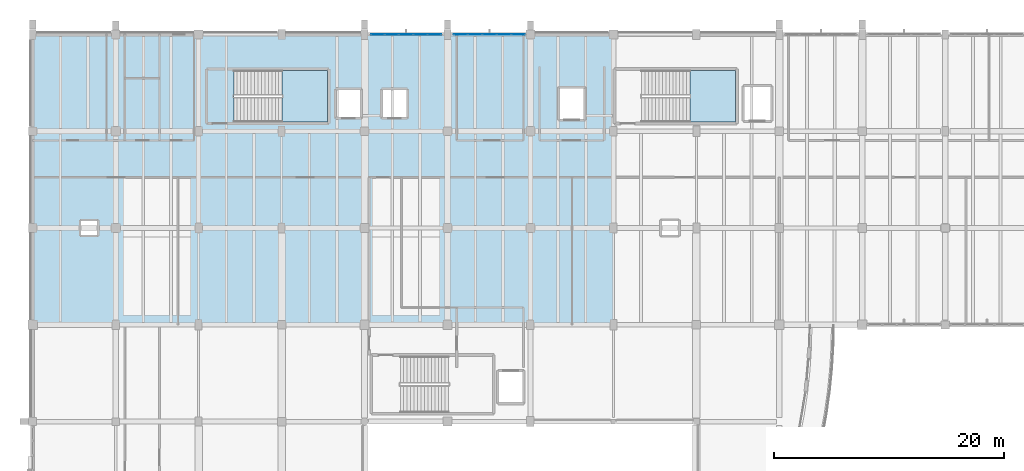
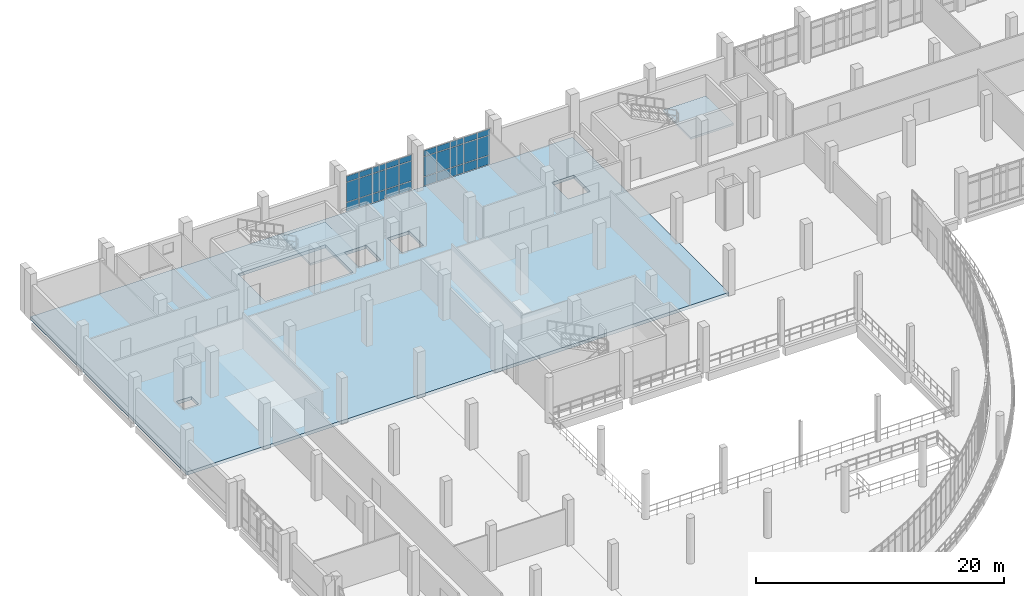
# One storey, part 95 of 116: 30 plates, 3 slabs, 4 elements without a shape of their own.
"""IFC4 building model written with IfcOpenShell, lengths in metres."""

from ifc_helpers import new_model, si_unit, direction, frame, origin, origin_2d, place, context, subcontext, project, spatial, polyline, rectangle, outline, extrude, material, layer, layer_set, type_object, element, aggregate, save


model = new_model("IFC4")

# Units and contexts
model_context = context("Model", 3, precision=1e-05, world=origin(), true_north=direction((0.0, 1.0)))
body_context = subcontext(model_context, "Body", "Model", "MODEL_VIEW")
ifc_project = project(units=[si_unit("LENGTHUNIT", "METRE"), si_unit("AREAUNIT", "SQUARE_METRE"), si_unit("VOLUMEUNIT", "CUBIC_METRE"), si_unit("PLANEANGLEUNIT", "RADIAN"), si_unit("MASSUNIT", "GRAM", prefix="KILO")], contexts=[model_context])

# Site, building, storey
site_placement = place(None, origin())
site = spatial("IfcSite", under=ifc_project, at=site_placement, CompositionType="ELEMENT")
building_placement = place(site_placement, origin())
building = spatial("IfcBuilding", under=site, at=building_placement, Name="Kalluvel Institute of Natural Sciences", CompositionType="ELEMENT")
storey_placement = place(building_placement, frame((0.0, 0.0, 14.39990234375)))
storey = spatial("IfcBuildingStorey", under=building, at=storey_placement, Name="L03", CompositionType="ELEMENT", Elevation=14.39990234375)

# Curtain wall, plates
ifc_material_1 = material(Name="Aluminium AW-6063 T6", Category="aluminium")
curtain_wall_type = type_object("IfcCurtainWallType", Name="CW-WET-45", PredefinedType="USERDEFINED", material=ifc_material_1)
curtain_wall_1_placement = place(storey_placement, origin())
curtain_wall_1 = element("IfcCurtainWall", 1, at=curtain_wall_1_placement, inside=storey, type_object=curtain_wall_type, Name="L03 Gothic lancet curtain wall CWA-L03-X433-Y1280", ObjectType="UNITISED LANCET FACADE", PredefinedType="USERDEFINED")
ifc_material_2 = material(Name="Solar-Control Low-E Laminated Glass", Category="glass")
ifc_layer_1 = layer(ifc_material_2, 0.028076171875)
ifc_layer_set_1 = layer_set([ifc_layer_1], Name="Solar-Control Low-E Laminated Glass")
plate_type = type_object("IfcPlateType", Name="CWP-DGU-28", PredefinedType="CURTAIN_PANEL", material=ifc_layer_set_1)
plate_1_placement = place(storey_placement, frame((43.93505859375, 128.0, 0.06005859375), z_axis=(0.0, 0.0, 1.0), x_axis=(1.0, 0.0, 0.0)))
plate_1 = element("IfcPlate", 2, at=plate_1_placement, type_object=plate_type, Name="CW-01 panel 1.1", PredefinedType="CURTAIN_PANEL", context=body_context, shape_type="SweptSolid", body=[
    extrude(rectangle(XDim=1.14990234375, YDim=0.028076171875, at=origin_2d()), origin(), (0.0, 0.0, 1.0), 0.860107421875),
])
plate_2_placement = place(storey_placement, frame((43.93505859375, 128.0, 0.980224609375), z_axis=(0.0, 0.0, 1.0), x_axis=(1.0, 0.0, 0.0)))
plate_2 = element("IfcPlate", 3, at=plate_2_placement, type_object=plate_type, Name="CW-01 panel 1.2", PredefinedType="CURTAIN_PANEL", context=body_context, shape_type="SweptSolid", body=[
    extrude(rectangle(XDim=1.14990234375, YDim=0.028076171875, at=origin_2d()), origin(), (0.0, 0.0, 1.0), 1.919921875),
])
plate_3_placement = place(storey_placement, frame((43.93505859375, 128.0, 2.9599609375), z_axis=(0.0, 0.0, 1.0), x_axis=(1.0, 0.0, 0.0)))
plate_3 = element("IfcPlate", 4, at=plate_3_placement, type_object=plate_type, Name="CW-01 panel 1.3", PredefinedType="CURTAIN_PANEL", context=body_context, shape_type="SweptSolid", body=[
    extrude(rectangle(XDim=1.14990234375, YDim=0.028076171875, at=origin_2d()), origin(), (0.0, 0.0, 1.0), 0.56005859375),
])
plate_4_placement = place(storey_placement, frame((45.159912109375, 128.0, 0.06005859375), z_axis=(0.0, 0.0, 1.0), x_axis=(1.0, 0.0, 0.0)))
plate_4 = element("IfcPlate", 5, at=plate_4_placement, type_object=plate_type, Name="CW-01 panel 2.1", PredefinedType="CURTAIN_PANEL", context=body_context, shape_type="SweptSolid", body=[
    extrude(rectangle(XDim=1.179931640625, YDim=0.028076171875, at=origin_2d()), origin(), (0.0, 0.0, 1.0), 0.860107421875),
])
plate_5_placement = place(storey_placement, frame((45.159912109375, 128.0, 0.980224609375), z_axis=(0.0, 0.0, 1.0), x_axis=(1.0, 0.0, 0.0)))
plate_5 = element("IfcPlate", 6, at=plate_5_placement, type_object=plate_type, Name="CW-01 panel 2.2", PredefinedType="CURTAIN_PANEL", context=body_context, shape_type="SweptSolid", body=[
    extrude(rectangle(XDim=1.179931640625, YDim=0.028076171875, at=origin_2d()), origin(), (0.0, 0.0, 1.0), 1.919921875),
])
plate_6_placement = place(storey_placement, frame((45.159912109375, 128.0, 2.9599609375), z_axis=(0.0, 0.0, 1.0), x_axis=(1.0, 0.0, 0.0)))
plate_6 = element("IfcPlate", 7, at=plate_6_placement, type_object=plate_type, Name="CW-01 panel 2.3", PredefinedType="CURTAIN_PANEL", context=body_context, shape_type="SweptSolid", body=[
    extrude(rectangle(XDim=1.179931640625, YDim=0.028076171875, at=origin_2d()), origin(), (0.0, 0.0, 1.0), 0.56005859375),
])
plate_7_placement = place(storey_placement, frame((46.39990234375, 128.0, 0.06005859375), z_axis=(0.0, 0.0, 1.0), x_axis=(1.0, 0.0, 0.0)))
plate_7 = element("IfcPlate", 8, at=plate_7_placement, type_object=plate_type, Name="CW-01 panel 3.1", PredefinedType="CURTAIN_PANEL", context=body_context, shape_type="SweptSolid", body=[
    extrude(rectangle(XDim=1.179931640625, YDim=0.028076171875, at=origin_2d()), origin(), (0.0, 0.0, 1.0), 0.860107421875),
])
plate_8_placement = place(storey_placement, frame((46.39990234375, 128.0, 0.980224609375), z_axis=(0.0, 0.0, 1.0), x_axis=(1.0, 0.0, 0.0)))
plate_8 = element("IfcPlate", 9, at=plate_8_placement, type_object=plate_type, Name="CW-01 panel 3.2", PredefinedType="CURTAIN_PANEL", context=body_context, shape_type="SweptSolid", body=[
    extrude(rectangle(XDim=1.179931640625, YDim=0.028076171875, at=origin_2d()), origin(), (0.0, 0.0, 1.0), 1.919921875),
])
plate_9_placement = place(storey_placement, frame((46.39990234375, 128.0, 2.9599609375), z_axis=(0.0, 0.0, 1.0), x_axis=(1.0, 0.0, 0.0)))
plate_9 = element("IfcPlate", 10, at=plate_9_placement, type_object=plate_type, Name="CW-01 panel 3.3", PredefinedType="CURTAIN_PANEL", context=body_context, shape_type="SweptSolid", body=[
    extrude(rectangle(XDim=1.179931640625, YDim=0.028076171875, at=origin_2d()), origin(), (0.0, 0.0, 1.0), 0.56005859375),
])
plate_10_placement = place(storey_placement, frame((47.639892578125, 128.0, 0.06005859375), z_axis=(0.0, 0.0, 1.0), x_axis=(1.0, 0.0, 0.0)))
plate_10 = element("IfcPlate", 11, at=plate_10_placement, type_object=plate_type, Name="CW-01 panel 4.1", PredefinedType="CURTAIN_PANEL", context=body_context, shape_type="SweptSolid", body=[
    extrude(rectangle(XDim=1.179931640625, YDim=0.028076171875, at=origin_2d()), origin(), (0.0, 0.0, 1.0), 0.860107421875),
])
plate_11_placement = place(storey_placement, frame((47.639892578125, 128.0, 0.980224609375), z_axis=(0.0, 0.0, 1.0), x_axis=(1.0, 0.0, 0.0)))
plate_11 = element("IfcPlate", 12, at=plate_11_placement, type_object=plate_type, Name="CW-01 panel 4.2", PredefinedType="CURTAIN_PANEL", context=body_context, shape_type="SweptSolid", body=[
    extrude(rectangle(XDim=1.179931640625, YDim=0.028076171875, at=origin_2d()), origin(), (0.0, 0.0, 1.0), 1.919921875),
])
plate_12_placement = place(storey_placement, frame((47.639892578125, 128.0, 2.9599609375), z_axis=(0.0, 0.0, 1.0), x_axis=(1.0, 0.0, 0.0)))
plate_12 = element("IfcPlate", 13, at=plate_12_placement, type_object=plate_type, Name="CW-01 panel 4.3", PredefinedType="CURTAIN_PANEL", context=body_context, shape_type="SweptSolid", body=[
    extrude(rectangle(XDim=1.179931640625, YDim=0.028076171875, at=origin_2d()), origin(), (0.0, 0.0, 1.0), 0.56005859375),
])
plate_13_placement = place(storey_placement, frame((48.864990234375, 128.0, 0.06005859375), z_axis=(0.0, 0.0, 1.0), x_axis=(1.0, 0.0, 0.0)))
plate_13 = element("IfcPlate", 14, at=plate_13_placement, type_object=plate_type, Name="CW-01 panel 5.1", PredefinedType="CURTAIN_PANEL", context=body_context, shape_type="SweptSolid", body=[
    extrude(rectangle(XDim=1.14990234375, YDim=0.028076171875, at=origin_2d()), origin(), (0.0, 0.0, 1.0), 0.860107421875),
])
plate_14_placement = place(storey_placement, frame((48.864990234375, 128.0, 0.980224609375), z_axis=(0.0, 0.0, 1.0), x_axis=(1.0, 0.0, 0.0)))
plate_14 = element("IfcPlate", 15, at=plate_14_placement, type_object=plate_type, Name="CW-01 panel 5.2", PredefinedType="CURTAIN_PANEL", context=body_context, shape_type="SweptSolid", body=[
    extrude(rectangle(XDim=1.14990234375, YDim=0.028076171875, at=origin_2d()), origin(), (0.0, 0.0, 1.0), 1.919921875),
])
plate_15_placement = place(storey_placement, frame((48.864990234375, 128.0, 2.9599609375), z_axis=(0.0, 0.0, 1.0), x_axis=(1.0, 0.0, 0.0)))
plate_15 = element("IfcPlate", 16, at=plate_15_placement, type_object=plate_type, Name="CW-01 panel 5.3", PredefinedType="CURTAIN_PANEL", context=body_context, shape_type="SweptSolid", body=[
    extrude(rectangle(XDim=1.14990234375, YDim=0.028076171875, at=origin_2d()), origin(), (0.0, 0.0, 1.0), 0.56005859375),
])
aggregate(curtain_wall_1, [plate_1, plate_2, plate_3, plate_4, plate_5, plate_6, plate_7, plate_8, plate_9, plate_10, plate_11, plate_12, plate_13, plate_14, plate_15])

curtain_wall_2_placement = place(storey_placement, origin())
curtain_wall_2 = element("IfcCurtainWall", 17, at=curtain_wall_2_placement, inside=storey, type_object=curtain_wall_type, Name="L03 Gothic lancet curtain wall CWA-L03-X505-Y1280", ObjectType="UNITISED LANCET FACADE", PredefinedType="USERDEFINED")
plate_16_placement = place(storey_placement, frame((51.142578125, 128.0, 0.06005859375), z_axis=(0.0, 0.0, 1.0), x_axis=(1.0, 0.0, 0.0)))
plate_16 = element("IfcPlate", 18, at=plate_16_placement, type_object=plate_type, Name="CW-01 panel 1.1", PredefinedType="CURTAIN_PANEL", context=body_context, shape_type="SweptSolid", body=[
    extrude(rectangle(XDim=1.1650390625, YDim=0.028076171875, at=origin_2d()), origin(), (0.0, 0.0, 1.0), 0.860107421875),
])
plate_17_placement = place(storey_placement, frame((51.142578125, 128.0, 0.980224609375), z_axis=(0.0, 0.0, 1.0), x_axis=(1.0, 0.0, 0.0)))
plate_17 = element("IfcPlate", 19, at=plate_17_placement, type_object=plate_type, Name="CW-01 panel 1.2", PredefinedType="CURTAIN_PANEL", context=body_context, shape_type="SweptSolid", body=[
    extrude(rectangle(XDim=1.1650390625, YDim=0.028076171875, at=origin_2d()), origin(), (0.0, 0.0, 1.0), 1.919921875),
])
plate_18_placement = place(storey_placement, frame((51.142578125, 128.0, 2.9599609375), z_axis=(0.0, 0.0, 1.0), x_axis=(1.0, 0.0, 0.0)))
plate_18 = element("IfcPlate", 20, at=plate_18_placement, type_object=plate_type, Name="CW-01 panel 1.3", PredefinedType="CURTAIN_PANEL", context=body_context, shape_type="SweptSolid", body=[
    extrude(rectangle(XDim=1.1650390625, YDim=0.028076171875, at=origin_2d()), origin(), (0.0, 0.0, 1.0), 0.56005859375),
])
plate_19_placement = place(storey_placement, frame((52.382568359375, 128.0, 0.06005859375), z_axis=(0.0, 0.0, 1.0), x_axis=(1.0, 0.0, 0.0)))
plate_19 = element("IfcPlate", 21, at=plate_19_placement, type_object=plate_type, Name="CW-01 panel 2.1", PredefinedType="CURTAIN_PANEL", context=body_context, shape_type="SweptSolid", body=[
    extrude(rectangle(XDim=1.195068359375, YDim=0.028076171875, at=origin_2d()), origin(), (0.0, 0.0, 1.0), 0.860107421875),
])
plate_20_placement = place(storey_placement, frame((52.382568359375, 128.0, 0.980224609375), z_axis=(0.0, 0.0, 1.0), x_axis=(1.0, 0.0, 0.0)))
plate_20 = element("IfcPlate", 22, at=plate_20_placement, type_object=plate_type, Name="CW-01 panel 2.2", PredefinedType="CURTAIN_PANEL", context=body_context, shape_type="SweptSolid", body=[
    extrude(rectangle(XDim=1.195068359375, YDim=0.028076171875, at=origin_2d()), origin(), (0.0, 0.0, 1.0), 1.919921875),
])
plate_21_placement = place(storey_placement, frame((52.382568359375, 128.0, 2.9599609375), z_axis=(0.0, 0.0, 1.0), x_axis=(1.0, 0.0, 0.0)))
plate_21 = element("IfcPlate", 23, at=plate_21_placement, type_object=plate_type, Name="CW-01 panel 2.3", PredefinedType="CURTAIN_PANEL", context=body_context, shape_type="SweptSolid", body=[
    extrude(rectangle(XDim=1.195068359375, YDim=0.028076171875, at=origin_2d()), origin(), (0.0, 0.0, 1.0), 0.56005859375),
])
plate_22_placement = place(storey_placement, frame((53.637451171875, 128.0, 0.06005859375), z_axis=(0.0, 0.0, 1.0), x_axis=(1.0, 0.0, 0.0)))
plate_22 = element("IfcPlate", 24, at=plate_22_placement, type_object=plate_type, Name="CW-01 panel 3.1", PredefinedType="CURTAIN_PANEL", context=body_context, shape_type="SweptSolid", body=[
    extrude(rectangle(XDim=1.195068359375, YDim=0.028076171875, at=origin_2d()), origin(), (0.0, 0.0, 1.0), 0.860107421875),
])
plate_23_placement = place(storey_placement, frame((53.637451171875, 128.0, 0.980224609375), z_axis=(0.0, 0.0, 1.0), x_axis=(1.0, 0.0, 0.0)))
plate_23 = element("IfcPlate", 25, at=plate_23_placement, type_object=plate_type, Name="CW-01 panel 3.2", PredefinedType="CURTAIN_PANEL", context=body_context, shape_type="SweptSolid", body=[
    extrude(rectangle(XDim=1.195068359375, YDim=0.028076171875, at=origin_2d()), origin(), (0.0, 0.0, 1.0), 1.919921875),
])
plate_24_placement = place(storey_placement, frame((53.637451171875, 128.0, 2.9599609375), z_axis=(0.0, 0.0, 1.0), x_axis=(1.0, 0.0, 0.0)))
plate_24 = element("IfcPlate", 26, at=plate_24_placement, type_object=plate_type, Name="CW-01 panel 3.3", PredefinedType="CURTAIN_PANEL", context=body_context, shape_type="SweptSolid", body=[
    extrude(rectangle(XDim=1.195068359375, YDim=0.028076171875, at=origin_2d()), origin(), (0.0, 0.0, 1.0), 0.56005859375),
])
plate_25_placement = place(storey_placement, frame((54.892578125, 128.0, 0.06005859375), z_axis=(0.0, 0.0, 1.0), x_axis=(1.0, 0.0, 0.0)))
plate_25 = element("IfcPlate", 27, at=plate_25_placement, type_object=plate_type, Name="CW-01 panel 4.1", PredefinedType="CURTAIN_PANEL", context=body_context, shape_type="SweptSolid", body=[
    extrude(rectangle(XDim=1.195068359375, YDim=0.028076171875, at=origin_2d()), origin(), (0.0, 0.0, 1.0), 0.860107421875),
])
plate_26_placement = place(storey_placement, frame((54.892578125, 128.0, 0.980224609375), z_axis=(0.0, 0.0, 1.0), x_axis=(1.0, 0.0, 0.0)))
plate_26 = element("IfcPlate", 28, at=plate_26_placement, type_object=plate_type, Name="CW-01 panel 4.2", PredefinedType="CURTAIN_PANEL", context=body_context, shape_type="SweptSolid", body=[
    extrude(rectangle(XDim=1.195068359375, YDim=0.028076171875, at=origin_2d()), origin(), (0.0, 0.0, 1.0), 1.919921875),
])
plate_27_placement = place(storey_placement, frame((54.892578125, 128.0, 2.9599609375), z_axis=(0.0, 0.0, 1.0), x_axis=(1.0, 0.0, 0.0)))
plate_27 = element("IfcPlate", 29, at=plate_27_placement, type_object=plate_type, Name="CW-01 panel 4.3", PredefinedType="CURTAIN_PANEL", context=body_context, shape_type="SweptSolid", body=[
    extrude(rectangle(XDim=1.195068359375, YDim=0.028076171875, at=origin_2d()), origin(), (0.0, 0.0, 1.0), 0.56005859375),
])
plate_28_placement = place(storey_placement, frame((56.132568359375, 128.0, 0.06005859375), z_axis=(0.0, 0.0, 1.0), x_axis=(1.0, 0.0, 0.0)))
plate_28 = element("IfcPlate", 30, at=plate_28_placement, type_object=plate_type, Name="CW-01 panel 5.1", PredefinedType="CURTAIN_PANEL", context=body_context, shape_type="SweptSolid", body=[
    extrude(rectangle(XDim=1.1650390625, YDim=0.028076171875, at=origin_2d()), origin(), (0.0, 0.0, 1.0), 0.860107421875),
])
plate_29_placement = place(storey_placement, frame((56.132568359375, 128.0, 0.980224609375), z_axis=(0.0, 0.0, 1.0), x_axis=(1.0, 0.0, 0.0)))
plate_29 = element("IfcPlate", 31, at=plate_29_placement, type_object=plate_type, Name="CW-01 panel 5.2", PredefinedType="CURTAIN_PANEL", context=body_context, shape_type="SweptSolid", body=[
    extrude(rectangle(XDim=1.1650390625, YDim=0.028076171875, at=origin_2d()), origin(), (0.0, 0.0, 1.0), 1.919921875),
])
plate_30_placement = place(storey_placement, frame((56.132568359375, 128.0, 2.9599609375), z_axis=(0.0, 0.0, 1.0), x_axis=(1.0, 0.0, 0.0)))
plate_30 = element("IfcPlate", 32, at=plate_30_placement, type_object=plate_type, Name="CW-01 panel 5.3", PredefinedType="CURTAIN_PANEL", context=body_context, shape_type="SweptSolid", body=[
    extrude(rectangle(XDim=1.1650390625, YDim=0.028076171875, at=origin_2d()), origin(), (0.0, 0.0, 1.0), 0.56005859375),
])
aggregate(curtain_wall_2, [plate_16, plate_17, plate_18, plate_19, plate_20, plate_21, plate_22, plate_23, plate_24, plate_25, plate_26, plate_27, plate_28, plate_29, plate_30])

# Slab
ifc_material_3 = material(Name="Concrete M40", Category="concrete")
ifc_layer_2 = layer(ifc_material_3, 0.320068359375)
ifc_layer_set_2 = layer_set([ifc_layer_2], Name="Concrete M40")
slab_type_1 = type_object("IfcSlabType", Name="SLB-WET-320", PredefinedType="FLOOR", material=ifc_layer_set_2)
slab_1_placement = place(storey_placement, frame((0.0, 0.0, -0.31982421875)))
element("IfcSlab", 33, at=slab_1_placement, inside=storey, type_object=slab_type_1, Name="L03 Wet Laboratory Waffle Floor Slab W", PredefinedType="FLOOR", context=body_context, shape_type="SweptSolid", body=[
    extrude(outline(polyline([(14.0, 102.800048828125), (64.39990234375, 102.800048828125), (64.39990234375, 128.0), (14.0, 128.0), (14.0, 102.800048828125)]), holes=[polyline([(61.820068359375, 120.679931640625), (59.780029296875, 120.679931640625), (59.780029296875, 123.320068359375), (61.820068359375, 123.320068359375), (61.820068359375, 120.679931640625)]), polyline([(46.419921875, 123.169921875), (46.419921875, 120.830078125), (44.3798828125, 120.830078125), (44.3798828125, 123.169921875), (46.419921875, 123.169921875)]), polyline([(42.419921875, 123.169921875), (42.419921875, 120.830078125), (40.3798828125, 120.830078125), (40.3798828125, 123.169921875), (42.419921875, 123.169921875)]), polyline([(39.60009765625, 120.39990234375), (31.468017578125, 120.39990234375), (31.468017578125, 124.8701171875), (39.60009765625, 124.8701171875), (39.60009765625, 120.39990234375)]), polyline([(19.60009765625, 111.800048828125), (19.60009765625, 110.60009765625), (18.199951171875, 110.60009765625), (18.199951171875, 111.800048828125), (19.60009765625, 111.800048828125)])]), origin(), (0.0, 0.0, 1.0), 0.31982421875),
])

# Stair, slab
stair_type = type_object("IfcStairType", Name="STR-ST12-45", PredefinedType="HALF_TURN_STAIR", material=ifc_material_3)
stair_1_placement = place(storey_placement, origin())
stair_1 = element("IfcStair", 34, at=stair_1_placement, inside=storey, type_object=stair_type, Name="L03 Wet Wing West Protected Exit Stair ST1", PredefinedType="HALF_TURN_STAIR")
ifc_layer_3 = layer(ifc_material_3, 0.199951171875)
ifc_layer_set_3 = layer_set([ifc_layer_3], Name="Concrete M40")
slab_type_2 = type_object("IfcSlabType", Name="SLD-ST12", PredefinedType="LANDING", material=ifc_layer_set_3)
slab_2_placement = place(storey_placement, frame((0.0, 0.0, 2.050048828125)))
slab_2 = element("IfcSlab", 35, at=slab_2_placement, type_object=slab_type_2, Name="S1-45 landing 1", PredefinedType="LANDING", context=body_context, shape_type="SweptSolid", body=[
    extrude(outline(polyline([(35.632080078125, 120.39990234375), (39.60009765625, 120.39990234375), (39.60009765625, 124.8701171875), (35.632080078125, 124.8701171875), (35.632080078125, 120.39990234375)])), origin(), (0.0, 0.0, 1.0), 0.199951171875),
])
aggregate(stair_1, [slab_2])

stair_2_placement = place(storey_placement, origin())
stair_2 = element("IfcStair", 36, at=stair_2_placement, inside=storey, type_object=stair_type, Name="L03 Wet Wing East Protected Exit Stair ST2", PredefinedType="HALF_TURN_STAIR")
slab_3_placement = place(storey_placement, frame((0.0, 0.0, 2.050048828125)))
slab_3 = element("IfcSlab", 37, at=slab_3_placement, type_object=slab_type_2, Name="S1-45 landing 1", PredefinedType="LANDING", context=body_context, shape_type="SweptSolid", body=[
    extrude(outline(polyline([(71.031982421875, 120.39990234375), (75.0, 120.39990234375), (75.0, 124.8701171875), (71.031982421875, 124.8701171875), (71.031982421875, 120.39990234375)])), origin(), (0.0, 0.0, 1.0), 0.199951171875),
])
aggregate(stair_2, [slab_3])

save(model, "model.ifc")
